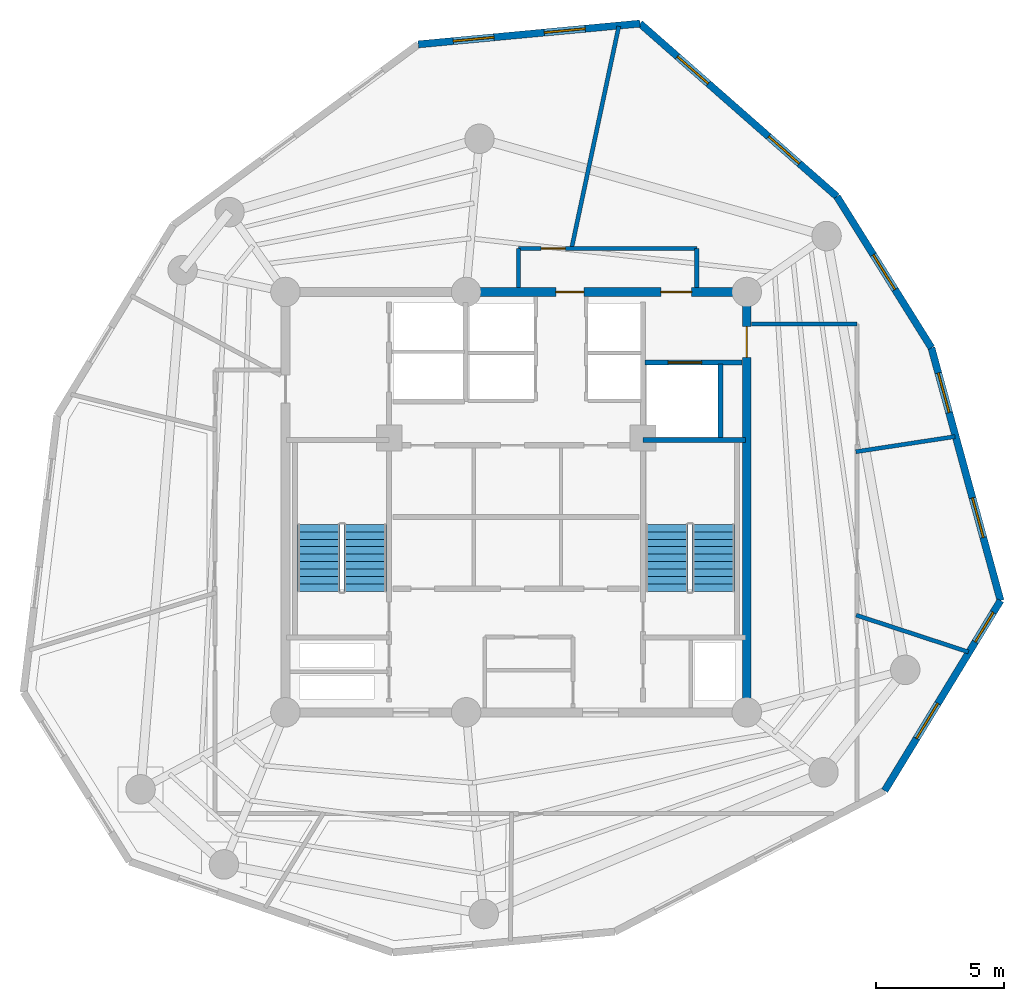
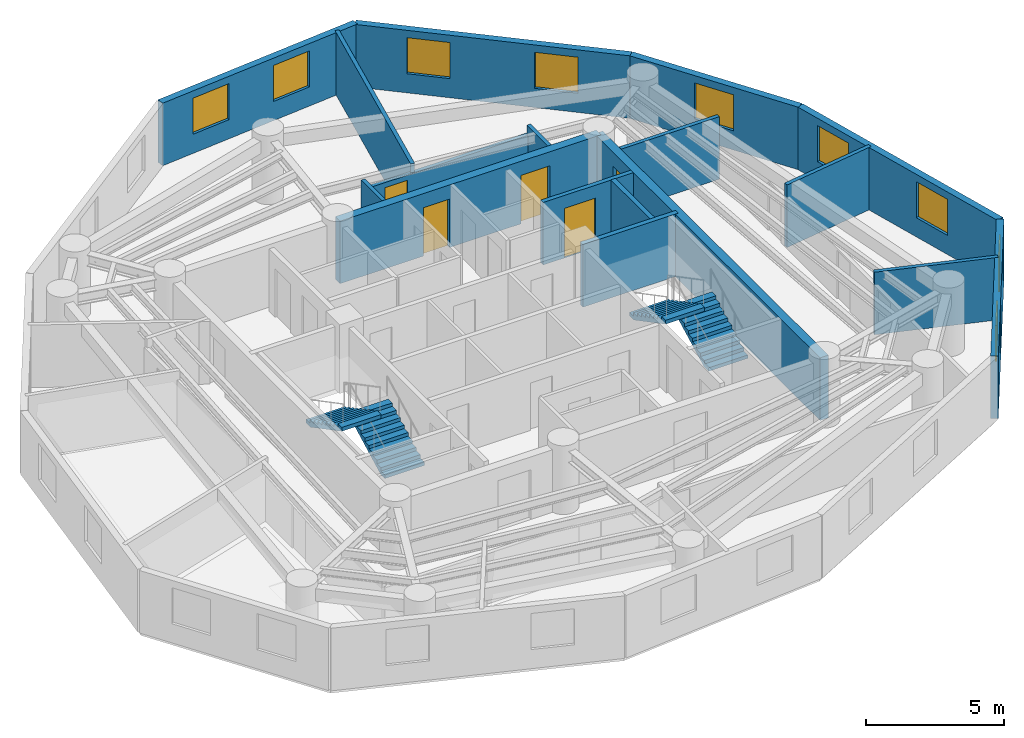
# One storey, part 5 of 6: 17 walls, 9 windows, 5 doors, 4 stair flights, 14 openings, 2 elements without a shape of their own.
"""IFC4 building model written with IfcOpenShell, lengths in metres."""

from ifc_helpers import new_model, si_unit, direction, frame, frame_2d, origin, origin_with_axes, place, context, subcontext, project, spatial, polyline, rectangle, outline, extrude, source, transform, mapped, material, layer, layer_set, type_object, element, fill, aggregate, save


model = new_model("IFC4")

# Units and contexts
model_context = context("Model", 3, precision=1e-05, world=origin(), true_north=direction((0.0, 1.0)))
body_context = subcontext(model_context, "Body", "Model", "MODEL_VIEW")
ifc_project = project(units=[si_unit("LENGTHUNIT", "METRE"), si_unit("AREAUNIT", "SQUARE_METRE"), si_unit("VOLUMEUNIT", "CUBIC_METRE"), si_unit("PLANEANGLEUNIT", "RADIAN"), si_unit("MASSUNIT", "GRAM", prefix="KILO")], contexts=[model_context])

# Site, building, storey
site_placement = place(None, origin())
site = spatial("IfcSite", under=ifc_project, at=site_placement, CompositionType="ELEMENT")
building_placement = place(site_placement, origin())
building = spatial("IfcBuilding", under=site, at=building_placement, Name="Karkom Vertical University and Central Library", CompositionType="ELEMENT")
storey_placement = place(building_placement, frame((0.0, 0.0, 265.699951171875)))
storey = spatial("IfcBuildingStorey", under=building, at=storey_placement, Name="L79", CompositionType="ELEMENT", Elevation=265.699951171875)

# Wall, openings, windows
ifc_material_1 = material(Name="Brick-faced precast concrete C45/55", Category="masonry")
ifc_layer_1 = layer(ifc_material_1, 0.280029296875)
ifc_layer_set_1 = layer_set([ifc_layer_1], Name="Brick-faced precast concrete C45/55")
wall_type_1 = type_object("IfcWallType", Name="ENV-WL-BRK-280", PredefinedType="SOLIDWALL", material=ifc_layer_set_1)
wall_1_placement = place(storey_placement, frame((42.880126953125, 15.24169921875, 0.0), z_axis=(0.0, 0.0, 1.0), x_axis=(0.520364089318, 0.853944503202, 0.0)))
wall_1 = element("IfcWall", 1, at=wall_1_placement, inside=storey, type_object=wall_type_1, Name="Level 79 Brick-Faced Precast Facade Wall 05", PredefinedType="SOLIDWALL", context=body_context, shape_type="SweptSolid", body=[
    extrude(rectangle(XDim=8.688232421875, YDim=0.280029296875, at=frame_2d((4.34423828125, 0.0))), origin(), (0.0, 0.0, 1.0), 2.775146484375),
])
opening_1_placement = place(wall_1_placement, frame((2.3876953125, 0.0, 0.85009765625)))
opening_1 = element("IfcOpeningElement", 2, at=opening_1_placement, cuts=wall_1, Name="Opening WN-10", PredefinedType="OPENING", context=body_context, shape_type="SweptSolid", body=[
    extrude(rectangle(XDim=1.60009765625, YDim=1.60009765625, at=frame_2d((0.800048828125, 0.800048828125))), frame((0.0, 0.14990234375, 0.0), z_axis=(0.0, -1.0, 0.0), x_axis=(1.0, 0.0, 0.0)), (0.0, 0.0, 1.0), 0.300048828125),
])
opening_2_placement = place(wall_1_placement, frame((6.796630859375, 0.0, 0.85009765625)))
opening_2 = element("IfcOpeningElement", 3, at=opening_2_placement, cuts=wall_1, Name="Opening WN-11", PredefinedType="OPENING", context=body_context, shape_type="SweptSolid", body=[
    extrude(rectangle(XDim=1.35009765625, YDim=1.60009765625, at=frame_2d((0.675048828125, 0.800048828125))), frame((0.0, 0.14990234375, 0.0), z_axis=(0.0, -1.0, 0.0), x_axis=(1.0, 0.0, 0.0)), (0.0, 0.0, 1.0), 0.300048828125),
])
ifc_material_2 = material(Name="Aluminium thermal-break frame with solar-control IGU", Category="aluminium")
window_type_1 = type_object("IfcWindowType", Name="ENV-WIN-WN-10", PartitioningType="SINGLE_PANEL", PredefinedType="WINDOW", material=ifc_material_2)
shared_shape_1 = source(origin_with_axes(), body_context, "Body", "SweptSolid", [
    extrude(rectangle(XDim=1.60009765625, YDim=1.60009765625, at=frame_2d((0.800048828125, 0.800048828125))), frame((0.0, 0.030029296875, 0.0), z_axis=(0.0, -1.0, 0.0), x_axis=(1.0, 0.0, 0.0)), (0.0, 0.0, 1.0), 0.06005859375),
])
window_1_placement = place(opening_1_placement, origin())
window_1 = element("IfcWindow", 4, at=window_1_placement, inside=storey, type_object=window_type_1, Name="Level 79 Punched Window 5.1", OverallHeight=1.60009765625, OverallWidth=1.60009765625, PartitioningType="SINGLE_PANEL", PredefinedType="WINDOW", context=body_context, shape_type="MappedRepresentation", body=[
    mapped(shared_shape_1, transform((0.0, 0.0, 0.0), scale=1.0)),
])
fill(opening_1, window_1)
window_type_2 = type_object("IfcWindowType", Name="ENV-WIN-WN-11", PartitioningType="SINGLE_PANEL", PredefinedType="WINDOW", material=ifc_material_2)
shared_shape_2 = source(origin_with_axes(), body_context, "Body", "SweptSolid", [
    extrude(rectangle(XDim=1.35009765625, YDim=1.60009765625, at=frame_2d((0.675048828125, 0.800048828125))), frame((0.0, 0.030029296875, 0.0), z_axis=(0.0, -1.0, 0.0), x_axis=(1.0, 0.0, 0.0)), (0.0, 0.0, 1.0), 0.06005859375),
])
window_2_placement = place(opening_2_placement, origin())
window_2 = element("IfcWindow", 5, at=window_2_placement, inside=storey, type_object=window_type_2, Name="Level 79 Punched Window 5.2", OverallHeight=1.60009765625, OverallWidth=1.35009765625, PartitioningType="SINGLE_PANEL", PredefinedType="WINDOW", context=body_context, shape_type="MappedRepresentation", body=[
    mapped(shared_shape_2, transform((0.0, 0.0, 0.0), scale=1.0)),
])
fill(opening_2, window_2)

wall_2_placement = place(storey_placement, frame((47.401123046875, 22.660888671875, 0.0), z_axis=(0.0, 0.0, 1.0), x_axis=(-0.263775999265, 0.964583963277, 0.0)))
wall_2 = element("IfcWall", 6, at=wall_2_placement, inside=storey, type_object=wall_type_1, Name="Level 79 Brick-Faced Precast Facade Wall 06", PredefinedType="SOLIDWALL", context=body_context, shape_type="SweptSolid", body=[
    extrude(rectangle(XDim=10.224609375, YDim=0.280029296875, at=frame_2d((5.1123046875, 0.0))), origin(), (0.0, 0.0, 1.0), 2.775146484375),
])
opening_3_placement = place(wall_2_placement, frame((2.551513671875, 0.0, 0.85009765625)))
opening_3 = element("IfcOpeningElement", 7, at=opening_3_placement, cuts=wall_2, Name="Opening WN-10", PredefinedType="OPENING", context=body_context, shape_type="SweptSolid", body=[
    extrude(rectangle(XDim=1.60009765625, YDim=1.60009765625, at=frame_2d((0.800048828125, 0.800048828125))), frame((0.0, 0.14990234375, 0.0), z_axis=(0.0, -1.0, 0.0), x_axis=(1.0, 0.0, 0.0)), (0.0, 0.0, 1.0), 0.300048828125),
])
opening_4_placement = place(wall_2_placement, frame((7.603759765625, 0.0, 0.85009765625)))
opening_4 = element("IfcOpeningElement", 8, at=opening_4_placement, cuts=wall_2, Name="Opening WN-10", PredefinedType="OPENING", context=body_context, shape_type="SweptSolid", body=[
    extrude(rectangle(XDim=1.60009765625, YDim=1.60009765625, at=frame_2d((0.800048828125, 0.800048828125))), frame((0.0, 0.14990234375, 0.0), z_axis=(0.0, -1.0, 0.0), x_axis=(1.0, 0.0, 0.0)), (0.0, 0.0, 1.0), 0.300048828125),
])
window_3_placement = place(opening_3_placement, origin())
window_3 = element("IfcWindow", 9, at=window_3_placement, inside=storey, type_object=window_type_1, Name="Level 79 Punched Window 6.1", OverallHeight=1.60009765625, OverallWidth=1.60009765625, PartitioningType="SINGLE_PANEL", PredefinedType="WINDOW", context=body_context, shape_type="MappedRepresentation", body=[
    mapped(shared_shape_1, transform((0.0, 0.0, 0.0), scale=1.0)),
])
fill(opening_3, window_3)
window_4_placement = place(opening_4_placement, origin())
window_4 = element("IfcWindow", 10, at=window_4_placement, inside=storey, type_object=window_type_1, Name="Level 79 Punched Window 6.2", OverallHeight=1.60009765625, OverallWidth=1.60009765625, PartitioningType="SINGLE_PANEL", PredefinedType="WINDOW", context=body_context, shape_type="MappedRepresentation", body=[
    mapped(shared_shape_1, transform((0.0, 0.0, 0.0), scale=1.0)),
])
fill(opening_4, window_4)

# Wall, opening, window
wall_3_placement = place(storey_placement, frame((44.7041015625, 32.5234375, 0.0), z_axis=(0.0, 0.0, 1.0), x_axis=(-0.52991377192, 0.84805152811, 0.0)))
wall_3 = element("IfcWall", 11, at=wall_3_placement, inside=storey, type_object=wall_type_1, Name="Level 79 Brick-Faced Precast Facade Wall 07", PredefinedType="SOLIDWALL", context=body_context, shape_type="SweptSolid", body=[
    extrude(rectangle(XDim=6.957275390625, YDim=0.280029296875, at=frame_2d((3.478515625, 0.0))), origin(), (0.0, 0.0, 1.0), 2.775146484375),
])
opening_5_placement = place(wall_3_placement, frame((2.6787109375, 0.0, 0.85009765625)))
opening_5 = element("IfcOpeningElement", 12, at=opening_5_placement, cuts=wall_3, Name="Opening WN-10", PredefinedType="OPENING", context=body_context, shape_type="SweptSolid", body=[
    extrude(rectangle(XDim=1.60009765625, YDim=1.60009765625, at=frame_2d((0.800048828125, 0.800048828125))), frame((0.0, 0.14990234375, 0.0), z_axis=(0.0, -1.0, 0.0), x_axis=(1.0, 0.0, 0.0)), (0.0, 0.0, 1.0), 0.300048828125),
])
window_5_placement = place(opening_5_placement, origin())
window_5 = element("IfcWindow", 13, at=window_5_placement, inside=storey, type_object=window_type_1, Name="Level 79 Punched Window 7.1", OverallHeight=1.60009765625, OverallWidth=1.60009765625, PartitioningType="SINGLE_PANEL", PredefinedType="WINDOW", context=body_context, shape_type="MappedRepresentation", body=[
    mapped(shared_shape_1, transform((0.0, 0.0, 0.0), scale=1.0)),
])
fill(opening_5, window_5)

# Wall, openings, windows
wall_4_placement = place(storey_placement, frame((41.017333984375, 38.423583984375, 0.0), z_axis=(0.0, 0.0, 1.0), x_axis=(-0.751329914383, 0.659926783631, 0.0)))
wall_4 = element("IfcWall", 14, at=wall_4_placement, inside=storey, type_object=wall_type_1, Name="Level 79 Brick-Faced Precast Facade Wall 08", PredefinedType="SOLIDWALL", context=body_context, shape_type="SweptSolid", body=[
    extrude(rectangle(XDim=10.224609375, YDim=0.280029296875, at=frame_2d((5.1123046875, 0.0))), origin(), (0.0, 0.0, 1.0), 2.775146484375),
])
opening_6_placement = place(wall_4_placement, frame((1.9462890625, 0.0, 0.85009765625)))
opening_6 = element("IfcOpeningElement", 15, at=opening_6_placement, cuts=wall_4, Name="Opening WN-10", PredefinedType="OPENING", context=body_context, shape_type="SweptSolid", body=[
    extrude(rectangle(XDim=1.60009765625, YDim=1.60009765625, at=frame_2d((0.800048828125, 0.800048828125))), frame((0.0, 0.14990234375, 0.0), z_axis=(0.0, -1.0, 0.0), x_axis=(1.0, 0.0, 0.0)), (0.0, 0.0, 1.0), 0.300048828125),
])
opening_7_placement = place(wall_4_placement, frame((6.6787109375, 0.0, 0.85009765625)))
opening_7 = element("IfcOpeningElement", 16, at=opening_7_placement, cuts=wall_4, Name="Opening WN-10", PredefinedType="OPENING", context=body_context, shape_type="SweptSolid", body=[
    extrude(rectangle(XDim=1.60009765625, YDim=1.60009765625, at=frame_2d((0.800048828125, 0.800048828125))), frame((0.0, 0.14990234375, 0.0), z_axis=(0.0, -1.0, 0.0), x_axis=(1.0, 0.0, 0.0)), (0.0, 0.0, 1.0), 0.300048828125),
])
window_6_placement = place(opening_6_placement, origin())
window_6 = element("IfcWindow", 17, at=window_6_placement, inside=storey, type_object=window_type_1, Name="Level 79 Punched Window 8.1", OverallHeight=1.60009765625, OverallWidth=1.60009765625, PartitioningType="SINGLE_PANEL", PredefinedType="WINDOW", context=body_context, shape_type="MappedRepresentation", body=[
    mapped(shared_shape_1, transform((0.0, 0.0, 0.0), scale=1.0)),
])
fill(opening_6, window_6)
window_7_placement = place(opening_7_placement, origin())
window_7 = element("IfcWindow", 18, at=window_7_placement, inside=storey, type_object=window_type_1, Name="Level 79 Punched Window 8.2", OverallHeight=1.60009765625, OverallWidth=1.60009765625, PartitioningType="SINGLE_PANEL", PredefinedType="WINDOW", context=body_context, shape_type="MappedRepresentation", body=[
    mapped(shared_shape_1, transform((0.0, 0.0, 0.0), scale=1.0)),
])
fill(opening_7, window_7)

wall_5_placement = place(storey_placement, frame((33.335205078125, 45.171142578125, 0.0), z_axis=(0.0, 0.0, 1.0), x_axis=(-0.995633573183, -0.093347672446, 0.0)))
wall_5 = element("IfcWall", 19, at=wall_5_placement, inside=storey, type_object=wall_type_1, Name="Level 79 Brick-Faced Precast Facade Wall 09", PredefinedType="SOLIDWALL", context=body_context, shape_type="SweptSolid", body=[
    extrude(rectangle(XDim=8.688232421875, YDim=0.280029296875, at=frame_2d((4.34423828125, 0.0))), origin(), (0.0, 0.0, 1.0), 2.775146484375),
])
opening_8_placement = place(wall_5_placement, frame((2.150390625, 0.0, 0.85009765625)))
opening_8 = element("IfcOpeningElement", 20, at=opening_8_placement, cuts=wall_5, Name="Opening WN-10", PredefinedType="OPENING", context=body_context, shape_type="SweptSolid", body=[
    extrude(rectangle(XDim=1.60009765625, YDim=1.60009765625, at=frame_2d((0.800048828125, 0.800048828125))), frame((0.0, 0.14990234375, 0.0), z_axis=(0.0, -1.0, 0.0), x_axis=(1.0, 0.0, 0.0)), (0.0, 0.0, 1.0), 0.300048828125),
])
opening_9_placement = place(wall_5_placement, frame((5.722412109375, 0.0, 0.85009765625)))
opening_9 = element("IfcOpeningElement", 21, at=opening_9_placement, cuts=wall_5, Name="Opening WN-10", PredefinedType="OPENING", context=body_context, shape_type="SweptSolid", body=[
    extrude(rectangle(XDim=1.60009765625, YDim=1.60009765625, at=frame_2d((0.800048828125, 0.800048828125))), frame((0.0, 0.14990234375, 0.0), z_axis=(0.0, -1.0, 0.0), x_axis=(1.0, 0.0, 0.0)), (0.0, 0.0, 1.0), 0.300048828125),
])
window_8_placement = place(opening_8_placement, origin())
window_8 = element("IfcWindow", 22, at=window_8_placement, inside=storey, type_object=window_type_1, Name="Level 79 Punched Window 9.1", OverallHeight=1.60009765625, OverallWidth=1.60009765625, PartitioningType="SINGLE_PANEL", PredefinedType="WINDOW", context=body_context, shape_type="MappedRepresentation", body=[
    mapped(shared_shape_1, transform((0.0, 0.0, 0.0), scale=1.0)),
])
fill(opening_8, window_8)
window_9_placement = place(opening_9_placement, origin())
window_9 = element("IfcWindow", 23, at=window_9_placement, inside=storey, type_object=window_type_1, Name="Level 79 Punched Window 9.2", OverallHeight=1.60009765625, OverallWidth=1.60009765625, PartitioningType="SINGLE_PANEL", PredefinedType="WINDOW", context=body_context, shape_type="MappedRepresentation", body=[
    mapped(shared_shape_1, transform((0.0, 0.0, 0.0), scale=1.0)),
])
fill(opening_9, window_9)

# Wall
ifc_material_3 = material(Name="Insulated metal-stud drywall 160mm", Category="gypsum")
ifc_layer_2 = layer(ifc_material_3, 0.159912109375)
ifc_layer_set_2 = layer_set([ifc_layer_2], Name="Insulated metal-stud drywall 160mm")
wall_type_2 = type_object("IfcWallType", Name="INT-WL-COR-160", PredefinedType="PARTITIONING", material=ifc_layer_set_2)
wall_6_placement = place(storey_placement, frame((30.659423828125, 36.37060546875, 0.0), z_axis=(0.0, 0.0, 1.0), x_axis=(0.207911969698, 0.978147541456, 0.0)))
element("IfcWall", 24, at=wall_6_placement, inside=storey, type_object=wall_type_2, Name="Level 79 Interior Partition Wall L79-PW-007", PredefinedType="PARTITIONING", context=body_context, shape_type="SweptSolid", body=[
    extrude(rectangle(XDim=8.88916015625, YDim=0.159912109375, at=frame_2d((4.444580078125, 0.0))), origin(), (0.0, 0.0, 1.0), 2.775146484375),
])

# Wall, opening, door
wall_7_placement = place(storey_placement, frame((28.60009765625, 36.39990234375, 0.0), z_axis=(0.0, 0.0, 1.0), x_axis=(1.0, 0.0, 0.0)))
wall_7 = element("IfcWall", 25, at=wall_7_placement, inside=storey, type_object=wall_type_2, Name="Level 79 Interior Partition Wall L79-CORW-CW-007", PredefinedType="PARTITIONING", context=body_context, shape_type="SweptSolid", body=[
    extrude(rectangle(XDim=6.949951171875, YDim=0.159912109375, at=frame_2d((3.47509765625, 0.0))), origin(), (0.0, 0.0, 1.0), 2.375),
])
opening_10_placement = place(wall_7_placement, frame((0.87255859375, 0.0, 0.0)))
opening_10 = element("IfcOpeningElement", 26, at=opening_10_placement, cuts=wall_7, Name="Opening D-RM1", PredefinedType="OPENING", context=body_context, shape_type="SweptSolid", body=[
    extrude(rectangle(XDim=0.949951171875, YDim=2.14990234375, at=frame_2d((0.47509765625, 1.074951171875))), frame((0.0, 0.08984375, 0.0), z_axis=(0.0, -1.0, 0.0), x_axis=(1.0, 0.0, 0.0)), (0.0, 0.0, 1.0), 0.179931640625),
])
ifc_material_4 = material(Name="Solid-core oak veneer door", Category="wood")
door_type_1 = type_object("IfcDoorType", Name="INT-DR-RM1", OperationType="NOTDEFINED", PredefinedType="DOOR", material=ifc_material_4)
shared_shape_3 = source(origin_with_axes(), body_context, "Body", "SweptSolid", [
    extrude(rectangle(XDim=0.949951171875, YDim=2.14990234375, at=frame_2d((0.47509765625, 1.074951171875))), frame((0.0, 0.02490234375, 0.0), z_axis=(0.0, -1.0, 0.0), x_axis=(1.0, 0.0, 0.0)), (0.0, 0.0, 1.0), 0.050048828125),
])
door_1_placement = place(opening_10_placement, origin())
door_1 = element("IfcDoor", 27, at=door_1_placement, inside=storey, type_object=door_type_1, Name="Level 79 Room Entry Door 070", OperationType="SINGLE_SWING_RIGHT", OverallHeight=2.14990234375, OverallWidth=0.949951171875, PredefinedType="DOOR", context=body_context, shape_type="MappedRepresentation", body=[
    mapped(shared_shape_3, transform((0.0, 0.0, 0.0), scale=1.0)),
])
fill(opening_10, door_1)

# Walls
wall_8_placement = place(storey_placement, frame((41.771484375, 22.0888671875, 0.0), z_axis=(0.0, 0.0, 1.0), x_axis=(0.950308757385, -0.311308955279, 0.0)))
element("IfcWall", 28, at=wall_8_placement, inside=storey, type_object=wall_type_2, Name="Level 79 Interior Partition Wall L79-PW-005", PredefinedType="PARTITIONING", context=body_context, shape_type="SweptSolid", body=[
    extrude(rectangle(XDim=4.60498046875, YDim=0.159912109375, at=frame_2d((2.302490234375, 0.0))), origin(), (0.0, 0.0, 1.0), 2.775146484375),
])
wall_9_placement = place(storey_placement, frame((37.681884765625, 33.449951171875, 0.0), z_axis=(0.0, 0.0, 1.0), x_axis=(1.0, 0.0, 0.0)))
element("IfcWall", 29, at=wall_9_placement, inside=storey, type_object=wall_type_2, Name="Level 79 Interior Partition Wall L79-CORW-CW-004", PredefinedType="PARTITIONING", context=body_context, shape_type="SweptSolid", body=[
    extrude(rectangle(XDim=4.1181640625, YDim=0.159912109375, at=frame_2d((2.05908203125, 0.0))), origin(), (0.0, 0.0, 1.0), 2.775146484375),
])
wall_10_placement = place(storey_placement, frame((41.755615234375, 28.466064453125, 0.0), z_axis=(0.0, 0.0, 1.0), x_axis=(0.988508277854, 0.151166744402, 0.0)))
element("IfcWall", 30, at=wall_10_placement, inside=storey, type_object=wall_type_2, Name="Level 79 Interior Partition Wall L79-PW-006", PredefinedType="PARTITIONING", context=body_context, shape_type="SweptSolid", body=[
    extrude(rectangle(XDim=3.914794921875, YDim=0.159912109375, at=frame_2d((1.95751953125, 0.0))), origin(), (0.0, 0.0, 1.0), 2.775146484375),
])
for number, where, z_axis, x_axis, name in (
    (31, (28.60009765625, 34.882080078125, 0.0), (0.0, 0.0, 1.0), (0.0, 1.0, 0.0), "Level 79 Interior Partition Wall L79-CORW-CW-006"),
    (32, (35.550048828125, 36.39990234375, 0.0), (0.0, 0.0, 1.0), (0.0, -1.0, 0.0), "Level 79 Interior Partition Wall L79-CORW-CW-008"),
):
    element("IfcWall", number, at=place(storey_placement, frame(where, z_axis=z_axis, x_axis=x_axis)), inside=storey, type_object=wall_type_2, Name=name, PredefinedType="PARTITIONING", context=body_context, shape_type="SweptSolid", body=[
        extrude(rectangle(XDim=1.517822265625, YDim=0.159912109375, at=frame_2d((0.7587890625, 0.0))), origin(), (0.0, 0.0, 1.0), 2.775146484375),
    ])

# Wall, opening, door
ifc_material_5 = material(Name="Twin-stud acoustic drywall 180mm", Category="gypsum")
ifc_layer_3 = layer(ifc_material_5, 0.179931640625)
ifc_layer_set_3 = layer_set([ifc_layer_3], Name="Twin-stud acoustic drywall 180mm")
wall_type_3 = type_object("IfcWallType", Name="INT-WL-TEN-180F", PredefinedType="PARTITIONING", material=ifc_layer_set_3)
wall_11_placement = place(storey_placement, frame((33.534912109375, 31.949951171875, 0.0), z_axis=(0.0, 0.0, 1.0), x_axis=(1.0, 0.0, 0.0)))
wall_11 = element("IfcWall", 33, at=wall_11_placement, inside=storey, type_object=wall_type_3, Name="Level 79 Interior Partition Wall L79-CW-SVL-N", PredefinedType="PARTITIONING", context=body_context, shape_type="SweptSolid", body=[
    extrude(rectangle(XDim=3.783935546875, YDim=0.179931640625, at=frame_2d((1.89208984375, 0.0))), origin(), (0.0, 0.0, 1.0), 2.775146484375),
])
opening_11_placement = place(wall_11_placement, frame((0.89990234375, 0.0, 0.0)))
opening_11 = element("IfcOpeningElement", 34, at=opening_11_placement, cuts=wall_11, Name="Opening LD-SV1", PredefinedType="OPENING", context=body_context, shape_type="SweptSolid", body=[
    extrude(rectangle(XDim=1.300048828125, YDim=2.199951171875, at=frame_2d((0.64990234375, 1.10009765625))), frame((0.0, 0.10009765625, 0.0), z_axis=(0.0, -1.0, 0.0), x_axis=(1.0, 0.0, 0.0)), (0.0, 0.0, 1.0), 0.199951171875),
])
ifc_material_6 = material(Name="Brushed stainless-steel landing door", Category="steel")
door_type_2 = type_object("IfcDoorType", Name="INT-DR-LD-SV1", OperationType="SLIDING_TO_LEFT", PredefinedType="DOOR", material=ifc_material_6)
shared_shape_4 = source(origin_with_axes(), body_context, "Body", "SweptSolid", [
    extrude(rectangle(XDim=1.300048828125, YDim=2.199951171875, at=frame_2d((0.64990234375, 1.10009765625))), frame((0.0, 0.02490234375, 0.0), z_axis=(0.0, -1.0, 0.0), x_axis=(1.0, 0.0, 0.0)), (0.0, 0.0, 1.0), 0.050048828125),
])
door_2_placement = place(opening_11_placement, origin())
door_2 = element("IfcDoor", 35, at=door_2_placement, inside=storey, type_object=door_type_2, Name="Level 79 Service Lift Landing Door LD-SV1", OperationType="SLIDING_TO_LEFT", OverallHeight=2.199951171875, OverallWidth=1.300048828125, PredefinedType="DOOR", context=body_context, shape_type="MappedRepresentation", body=[
    mapped(shared_shape_4, transform((0.0, 0.0, 0.0), scale=1.0)),
])
fill(opening_11, door_2)

ifc_material_7 = material(Name="Concrete C45/55", Category="concrete")
ifc_layer_4 = layer(ifc_material_7, 0.35009765625)
ifc_layer_set_4 = layer_set([ifc_layer_4], Name="Concrete C45/55")
wall_type_4 = type_object("IfcWallType", Name="STR-WL-CW-350", PredefinedType="SHEAR", material=ifc_layer_set_4)
wall_12_placement = place(storey_placement, frame((37.5, 18.300048828125, 0.0), z_axis=(0.0, 0.0, 1.0), x_axis=(0.0, 1.0, 0.0)))
wall_12 = element("IfcWall", 36, at=wall_12_placement, inside=storey, type_object=wall_type_4, Name="Level 79 Central Core Shear Wall EW", PredefinedType="SHEAR", context=body_context, shape_type="SweptSolid", body=[
    extrude(rectangle(XDim=16.39990234375, YDim=0.35009765625, at=frame_2d((8.199951171875, 0.0))), origin(), (0.0, 0.0, 1.0), 2.775146484375),
])
opening_12_placement = place(wall_12_placement, frame((13.85009765625, 0.0, 0.0)))
opening_12 = element("IfcOpeningElement", 37, at=opening_12_placement, cuts=wall_12, Name="Opening FD-SUB1", PredefinedType="OPENING", context=body_context, shape_type="SweptSolid", body=[
    extrude(rectangle(XDim=1.199951171875, YDim=2.14990234375, at=frame_2d((0.60009765625, 1.074951171875))), frame((0.0, 0.18505859375, 0.0), z_axis=(0.0, -1.0, 0.0), x_axis=(1.0, 0.0, 0.0)), (0.0, 0.0, 1.0), 0.3701171875),
])
ifc_material_8 = material(Name="Painted steel fire door", Category="steel")
door_type_3 = type_object("IfcDoorType", Name="INT-DR-SUB1", OperationType="NOTDEFINED", PredefinedType="DOOR", material=ifc_material_8)
shared_shape_5 = source(origin_with_axes(), body_context, "Body", "SweptSolid", [
    extrude(rectangle(XDim=1.199951171875, YDim=2.14990234375, at=frame_2d((0.60009765625, 1.074951171875))), frame((0.0, 0.02490234375, 0.0), z_axis=(0.0, -1.0, 0.0), x_axis=(1.0, 0.0, 0.0)), (0.0, 0.0, 1.0), 0.050048828125),
])
door_3_placement = place(opening_12_placement, origin())
door_3 = element("IfcDoor", 38, at=door_3_placement, inside=storey, type_object=door_type_3, Name="Level 79 East Corridor Service Lobby Door", OperationType="SINGLE_SWING_LEFT", OverallHeight=2.14990234375, OverallWidth=1.199951171875, PredefinedType="DOOR", context=body_context, shape_type="MappedRepresentation", body=[
    mapped(shared_shape_5, transform((0.0, 0.0, 0.0), scale=1.0)),
])
fill(opening_12, door_3)

# Wall, openings, doors
wall_13_placement = place(storey_placement, frame((37.5, 34.699951171875, 0.0), z_axis=(0.0, 0.0, 1.0), x_axis=(-1.0, 0.0, 0.0)))
wall_13 = element("IfcWall", 39, at=wall_13_placement, inside=storey, type_object=wall_type_4, Name="Level 79 Central Core Shear Wall NW1", PredefinedType="SHEAR", context=body_context, shape_type="SweptSolid", body=[
    extrude(rectangle(XDim=10.949951171875, YDim=0.35009765625, at=frame_2d((5.47509765625, 0.0))), origin(), (0.0, 0.0, 1.0), 2.775146484375),
])
opening_13_placement = place(wall_13_placement, frame((2.14990234375, 0.0, 0.0)))
opening_13 = element("IfcOpeningElement", 40, at=opening_13_placement, cuts=wall_13, Name="Opening FD-SUB1", PredefinedType="OPENING", context=body_context, shape_type="SweptSolid", body=[
    extrude(rectangle(XDim=1.199951171875, YDim=2.14990234375, at=frame_2d((0.60009765625, 1.074951171875))), frame((0.0, 0.18505859375, 0.0), z_axis=(0.0, -1.0, 0.0), x_axis=(1.0, 0.0, 0.0)), (0.0, 0.0, 1.0), 0.3701171875),
])
opening_14_placement = place(wall_13_placement, frame((6.35009765625, 0.0, 0.0)))
opening_14 = element("IfcOpeningElement", 41, at=opening_14_placement, cuts=wall_13, Name="Opening FD-FFL", PredefinedType="OPENING", context=body_context, shape_type="SweptSolid", body=[
    extrude(rectangle(XDim=1.10009765625, YDim=2.14990234375, at=frame_2d((0.550048828125, 1.074951171875))), frame((0.0, 0.18505859375, 0.0), z_axis=(0.0, -1.0, 0.0), x_axis=(1.0, 0.0, 0.0)), (0.0, 0.0, 1.0), 0.3701171875),
])
ifc_material_9 = material(Name="Painted steel smoke-seal fire door", Category="steel")
door_type_4 = type_object("IfcDoorType", Name="INT-DR-FFL", OperationType="NOTDEFINED", PredefinedType="DOOR", material=ifc_material_9)
shared_shape_6 = source(origin_with_axes(), body_context, "Body", "SweptSolid", [
    extrude(rectangle(XDim=1.10009765625, YDim=2.14990234375, at=frame_2d((0.550048828125, 1.074951171875))), frame((0.0, 0.02490234375, 0.0), z_axis=(0.0, -1.0, 0.0), x_axis=(1.0, 0.0, 0.0)), (0.0, 0.0, 1.0), 0.050048828125),
])
door_4_placement = place(opening_14_placement, origin())
door_4 = element("IfcDoor", 42, at=door_4_placement, inside=storey, type_object=door_type_4, Name="Level 79 North Core Lobby Exit Door", OperationType="SINGLE_SWING_RIGHT", OverallHeight=2.14990234375, OverallWidth=1.10009765625, PredefinedType="DOOR", context=body_context, shape_type="MappedRepresentation", body=[
    mapped(shared_shape_6, transform((0.0, 0.0, 0.0), scale=1.0)),
])
fill(opening_14, door_4)
door_5_placement = place(opening_13_placement, origin())
door_5 = element("IfcDoor", 43, at=door_5_placement, inside=storey, type_object=door_type_3, Name="Level 79 Service Lobby Fire Door", OperationType="SINGLE_SWING_RIGHT", OverallHeight=2.14990234375, OverallWidth=1.199951171875, PredefinedType="DOOR", context=body_context, shape_type="MappedRepresentation", body=[
    mapped(shared_shape_5, transform((0.0, 0.0, 0.0), scale=1.0)),
])
fill(opening_13, door_5)

# Walls
ifc_layer_5 = layer(ifc_material_7, 0.199951171875)
ifc_layer_set_5 = layer_set([ifc_layer_5], Name="Concrete C45/55")
wall_type_5 = type_object("IfcWallType", Name="STR-WL-ST-200", PredefinedType="SHEAR", material=ifc_layer_set_5)
wall_14_placement = place(storey_placement, frame((33.455078125, 28.925048828125, 0.0), z_axis=(0.0, 0.0, 1.0), x_axis=(1.0, 0.0, 0.0)))
element("IfcWall", 44, at=wall_14_placement, inside=storey, type_object=wall_type_5, Name="Level 79 Core Shaft Wall L79-CW-ST2-N", PredefinedType="SHEAR", context=body_context, shape_type="SweptSolid", body=[
    extrude(rectangle(XDim=3.994873046875, YDim=0.199951171875, at=frame_2d((1.99755859375, 0.0))), origin(), (0.0, 0.0, 1.0), 2.775146484375),
])
wall_15_placement = place(storey_placement, frame((36.47998046875, 29.02001953125, 0.0), z_axis=(0.0, 0.0, 1.0), x_axis=(0.0, 1.0, 0.0)))
element("IfcWall", 45, at=wall_15_placement, inside=storey, type_object=wall_type_5, Name="Level 79 Core Shaft Wall L79-CW-SVL-E", PredefinedType="SHEAR", context=body_context, shape_type="SweptSolid", body=[
    extrude(rectangle(XDim=2.85986328125, YDim=0.199951171875, at=frame_2d((1.429931640625, 0.0))), origin(), (0.0, 0.0, 1.0), 2.775146484375),
])

# Stair, stair flights
stair_type = type_object("IfcStairType", Name="INT-STR-ST-MAIN", PredefinedType="HALF_TURN_STAIR", material=ifc_material_7)
stair_1_placement = place(storey_placement, origin())
stair_1 = element("IfcStair", 46, at=stair_1_placement, inside=storey, type_object=stair_type, Name="Level 79 Tower Protected Exit Stair ST-1", PredefinedType="HALF_TURN_STAIR")
stair_flight_type = type_object("IfcStairFlightType", Name="INT-SFL-ST-MAIN", PredefinedType="STRAIGHT", material=ifc_material_7)
stair_flight_1_placement = place(storey_placement, frame((22.614990234375, 23.02001953125, 0.0), z_axis=(0.0, 0.0, 1.0), x_axis=(0.0, 1.0, 0.0)))
stair_flight_1 = element("IfcStairFlight", 47, at=stair_flight_1_placement, type_object=stair_flight_type, Name="ST-1 flight 1", NumberOfRisers=10, NumberOfTreads=9, PredefinedType="STRAIGHT", RiserHeight=0.1525, TreadLength=0.29, context=body_context, shape_type="SweptSolid", body=[
    extrude(outline(polyline([(0.0, 0.0), (0.0, 0.152587890625), (0.2900390625, 0.152587890625), (0.2900390625, 0.304931640625), (0.580078125, 0.304931640625), (0.580078125, 0.45751953125), (0.8701171875, 0.45751953125), (0.8701171875, 0.610107421875), (1.159912109375, 0.610107421875), (1.159912109375, 0.762451171875), (1.449951171875, 0.762451171875), (1.449951171875, 0.9150390625), (1.739990234375, 0.9150390625), (1.739990234375, 1.0673828125), (2.030029296875, 1.0673828125), (2.030029296875, 1.219970703125), (2.320068359375, 1.219970703125), (2.320068359375, 1.37255859375), (2.610107421875, 1.37255859375), (2.610107421875, 1.52490234375), (2.610107421875, 1.203125), (0.322021484375, 0.0), (0.0, 0.0)])), frame((0.0, 0.824951171875, 0.0), z_axis=(0.0, -1.0, 0.0), x_axis=(1.0, 0.0, 0.0)), (0.0, 0.0, 1.0), 1.64990234375),
])
stair_flight_2_placement = place(storey_placement, frame((20.804931640625, 25.6298828125, 1.525146484375), z_axis=(0.0, 0.0, 1.0), x_axis=(0.0, -1.0, 0.0)))
stair_flight_2 = element("IfcStairFlight", 48, at=stair_flight_2_placement, type_object=stair_flight_type, Name="ST-1 flight 2", NumberOfRisers=10, NumberOfTreads=9, PredefinedType="STRAIGHT", RiserHeight=0.1525, TreadLength=0.29, context=body_context, shape_type="SweptSolid", body=[
    extrude(outline(polyline([(0.0, 0.0), (0.0, 0.152587890625), (0.2900390625, 0.152587890625), (0.2900390625, 0.304931640625), (0.580078125, 0.304931640625), (0.580078125, 0.45751953125), (0.8701171875, 0.45751953125), (0.8701171875, 0.610107421875), (1.159912109375, 0.610107421875), (1.159912109375, 0.762451171875), (1.449951171875, 0.762451171875), (1.449951171875, 0.9150390625), (1.739990234375, 0.9150390625), (1.739990234375, 1.0673828125), (2.030029296875, 1.0673828125), (2.030029296875, 1.219970703125), (2.320068359375, 1.219970703125), (2.320068359375, 1.37255859375), (2.610107421875, 1.37255859375), (2.610107421875, 1.52490234375), (2.610107421875, 1.203125), (0.322021484375, 0.0), (0.0, 0.0)])), frame((0.0, 0.824951171875, 0.0), z_axis=(0.0, -1.0, 0.0), x_axis=(1.0, 0.0, 0.0)), (0.0, 0.0, 1.0), 1.64990234375),
])
aggregate(stair_1, [stair_flight_1, stair_flight_2])

stair_2_placement = place(storey_placement, origin())
stair_2 = element("IfcStair", 49, at=stair_2_placement, inside=storey, type_object=stair_type, Name="Level 79 Tower Protected Exit Stair ST-2", PredefinedType="HALF_TURN_STAIR")
stair_flight_3_placement = place(storey_placement, frame((36.195068359375, 23.02001953125, 0.0), z_axis=(0.0, 0.0, 1.0), x_axis=(0.0, 1.0, 0.0)))
stair_flight_3 = element("IfcStairFlight", 50, at=stair_flight_3_placement, type_object=stair_flight_type, Name="ST-2 flight 1", NumberOfRisers=10, NumberOfTreads=9, PredefinedType="STRAIGHT", RiserHeight=0.1525, TreadLength=0.29, context=body_context, shape_type="SweptSolid", body=[
    extrude(outline(polyline([(0.0, 0.0), (0.0, 0.152587890625), (0.2900390625, 0.152587890625), (0.2900390625, 0.304931640625), (0.580078125, 0.304931640625), (0.580078125, 0.45751953125), (0.8701171875, 0.45751953125), (0.8701171875, 0.610107421875), (1.159912109375, 0.610107421875), (1.159912109375, 0.762451171875), (1.449951171875, 0.762451171875), (1.449951171875, 0.9150390625), (1.739990234375, 0.9150390625), (1.739990234375, 1.0673828125), (2.030029296875, 1.0673828125), (2.030029296875, 1.219970703125), (2.320068359375, 1.219970703125), (2.320068359375, 1.37255859375), (2.610107421875, 1.37255859375), (2.610107421875, 1.52490234375), (2.610107421875, 1.203125), (0.322021484375, 0.0), (0.0, 0.0)])), frame((0.0, 0.824951171875, 0.0), z_axis=(0.0, -1.0, 0.0), x_axis=(1.0, 0.0, 0.0)), (0.0, 0.0, 1.0), 1.64990234375),
])
stair_flight_4_placement = place(storey_placement, frame((34.385009765625, 25.6298828125, 1.525146484375), z_axis=(0.0, 0.0, 1.0), x_axis=(0.0, -1.0, 0.0)))
stair_flight_4 = element("IfcStairFlight", 51, at=stair_flight_4_placement, type_object=stair_flight_type, Name="ST-2 flight 2", NumberOfRisers=10, NumberOfTreads=9, PredefinedType="STRAIGHT", RiserHeight=0.1525, TreadLength=0.29, context=body_context, shape_type="SweptSolid", body=[
    extrude(outline(polyline([(0.0, 0.0), (0.0, 0.152587890625), (0.2900390625, 0.152587890625), (0.2900390625, 0.304931640625), (0.580078125, 0.304931640625), (0.580078125, 0.45751953125), (0.8701171875, 0.45751953125), (0.8701171875, 0.610107421875), (1.159912109375, 0.610107421875), (1.159912109375, 0.762451171875), (1.449951171875, 0.762451171875), (1.449951171875, 0.9150390625), (1.739990234375, 0.9150390625), (1.739990234375, 1.0673828125), (2.030029296875, 1.0673828125), (2.030029296875, 1.219970703125), (2.320068359375, 1.219970703125), (2.320068359375, 1.37255859375), (2.610107421875, 1.37255859375), (2.610107421875, 1.52490234375), (2.610107421875, 1.203125), (0.322021484375, 0.0), (0.0, 0.0)])), frame((0.0, 0.824951171875, 0.0), z_axis=(0.0, -1.0, 0.0), x_axis=(1.0, 0.0, 0.0)), (0.0, 0.0, 1.0), 1.64990234375),
])
aggregate(stair_2, [stair_flight_3, stair_flight_4])

save(model, "model.ifc")
